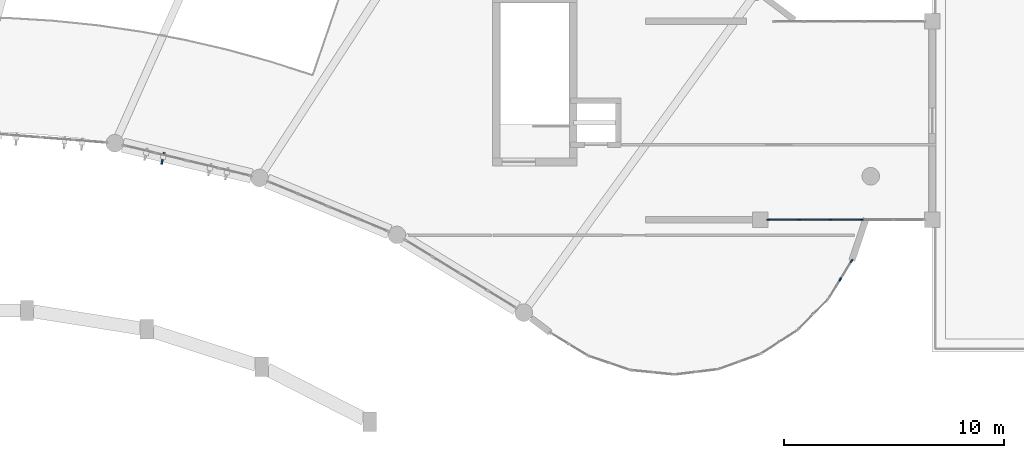
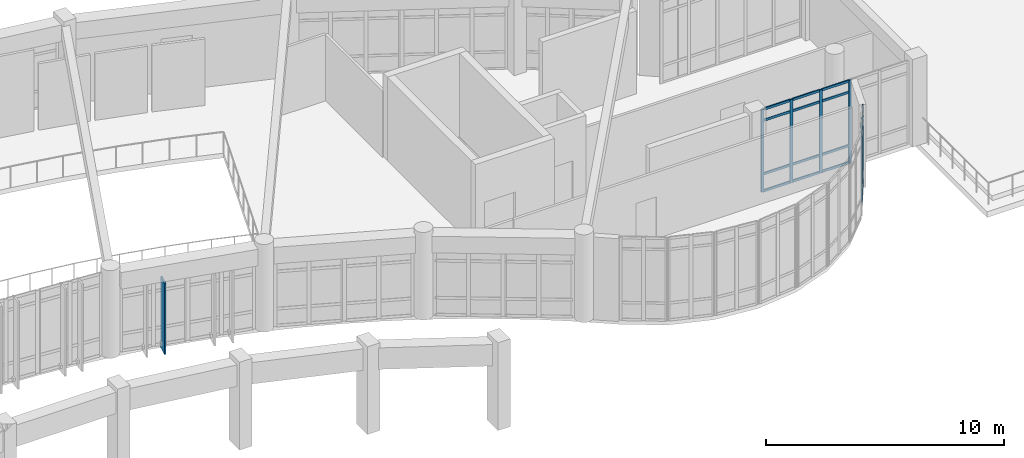
# One storey, part 17 of 54: 19 members, 2 elements without a shape of their own.
"""IFC4 building model written with IfcOpenShell, lengths in metres."""

from ifc_helpers import new_model, si_unit, direction, frame, origin, origin_2d, place, context, subcontext, project, spatial, rectangle, extrude, material, layer, layer_set, material_profile, profile_set, type_object, element, aggregate, save


model = new_model("IFC4")

# Units and contexts
model_context = context("Model", 3, precision=1e-05, world=origin(), true_north=direction((0.0, 1.0)))
body_context = subcontext(model_context, "Body", "Model", "MODEL_VIEW")
ifc_project = project(units=[si_unit("LENGTHUNIT", "METRE"), si_unit("AREAUNIT", "SQUARE_METRE"), si_unit("VOLUMEUNIT", "CUBIC_METRE"), si_unit("PLANEANGLEUNIT", "RADIAN"), si_unit("MASSUNIT", "GRAM", prefix="KILO")], contexts=[model_context])

# Site, building, storey
site_placement = place(None, origin())
site = spatial("IfcSite", under=ifc_project, at=site_placement, CompositionType="ELEMENT")
building_placement = place(site_placement, origin())
building = spatial("IfcBuilding", under=site, at=building_placement, Name="Miralva Faculty of Natural Sciences", CompositionType="ELEMENT")
storey_placement = place(building_placement, frame((0.0, 0.0, 19.5)))
storey = spatial("IfcBuildingStorey", under=building, at=storey_placement, Name="L04", CompositionType="ELEMENT", Elevation=19.5)

# Curtain wall, members
ifc_material_1 = material(Name="Laminated solar-control glass", Category="glass")
ifc_layer_1 = layer(ifc_material_1, 0.179931640625, Name="CW-RND-L03")
ifc_layer_set_1 = layer_set([ifc_layer_1], Name="Laminated solar-control glass")
curtain_wall_type_1 = type_object("IfcCurtainWallType", Name="CW-RND-L03", PredefinedType="USERDEFINED", material=ifc_layer_set_1)
curtain_wall_1_placement = place(storey_placement, origin())
curtain_wall_1 = element("IfcCurtainWall", 1, at=curtain_wall_1_placement, inside=storey, type_object=curtain_wall_type_1, Name="Curtain wall CW-06 L04-197", ObjectType="UNITISED CURTAIN WALL", PredefinedType="USERDEFINED")
ifc_material_2 = material(Name="Anodised aluminium", Category="aluminium")
ifc_material_profile_1 = material_profile(ifc_material_2, rectangle(XDim=0.06494140625, YDim=0.159912109375, at=origin_2d()), Name="MULLION 65x160")
ifc_profile_set_1 = profile_set([ifc_material_profile_1], Name="Anodised aluminium")
member_type_1 = type_object("IfcMemberType", Name="CW-M02", PredefinedType="MULLION", material=ifc_profile_set_1)
member_1_placement = place(storey_placement, frame((129.635498046875, 15.29638671875, 0.0), z_axis=(0.0, 0.0, 1.0), x_axis=(-0.851994617353, 0.523550543884, 0.0)))
member_1 = element("IfcMember", 2, at=member_1_placement, type_object=member_type_1, Name="CW-06 mullion 2", PredefinedType="MULLION", context=body_context, shape_type="SweptSolid", body=[
    extrude(rectangle(XDim=0.06494140625, YDim=0.159912109375, at=origin_2d()), origin(), (0.0, 0.0, 1.0), 4.25),
])
member_2_placement = place(storey_placement, frame((130.147216796875, 16.12939453125, 0.0), z_axis=(0.0, 0.0, 1.0), x_axis=(-0.851994617353, 0.523550543884, 0.0)))
member_2 = element("IfcMember", 3, at=member_2_placement, type_object=member_type_1, Name="CW-06 mullion 3", PredefinedType="MULLION", context=body_context, shape_type="SweptSolid", body=[
    extrude(rectangle(XDim=0.06494140625, YDim=0.159912109375, at=origin_2d()), origin(), (0.0, 0.0, 1.0), 4.25),
])
aggregate(curtain_wall_1, [member_1, member_2])

ifc_layer_2 = layer(ifc_material_1, 0.179931640625, Name="CW-COM-L01")
ifc_layer_set_2 = layer_set([ifc_layer_2], Name="Laminated solar-control glass")
curtain_wall_type_2 = type_object("IfcCurtainWallType", Name="CW-COM-L01", PredefinedType="USERDEFINED", material=ifc_layer_set_2)
curtain_wall_2_placement = place(storey_placement, origin())
curtain_wall_2 = element("IfcCurtainWall", 4, at=curtain_wall_2_placement, inside=storey, type_object=curtain_wall_type_2, Name="Curtain wall CW-10 L04-308", ObjectType="UNITISED CURTAIN WALL", PredefinedType="USERDEFINED")
ifc_material_profile_2 = material_profile(ifc_material_2, rectangle(XDim=0.06005859375, YDim=0.139892578125, at=origin_2d()), Name="MULLION 60x140")
ifc_profile_set_2 = profile_set([ifc_material_profile_2], Name="Anodised aluminium")
member_type_2 = type_object("IfcMemberType", Name="CW-M03", PredefinedType="MULLION", material=ifc_profile_set_2)
member_3_placement = place(storey_placement, frame((126.364990234375, 18.0, 0.0), z_axis=(0.0, 0.0, 1.0), x_axis=(0.0, 1.0, 0.0)))
member_3 = element("IfcMember", 5, at=member_3_placement, type_object=member_type_2, Name="CW-10 mullion 1", PredefinedType="MULLION", context=body_context, shape_type="SweptSolid", body=[
    extrude(rectangle(XDim=0.06005859375, YDim=0.139892578125, at=origin_2d()), origin(), (0.0, 0.0, 1.0), 4.25),
])
member_4_placement = place(storey_placement, frame((127.760986328125, 18.0, 0.0), z_axis=(0.0, 0.0, 1.0), x_axis=(0.0, 1.0, 0.0)))
member_4 = element("IfcMember", 6, at=member_4_placement, type_object=member_type_2, Name="CW-10 mullion 2", PredefinedType="MULLION", context=body_context, shape_type="SweptSolid", body=[
    extrude(rectangle(XDim=0.06005859375, YDim=0.139892578125, at=origin_2d()), origin(), (0.0, 0.0, 1.0), 4.25),
])
member_5_placement = place(storey_placement, frame((129.18701171875, 18.0, 0.0), z_axis=(0.0, 0.0, 1.0), x_axis=(0.0, 1.0, 0.0)))
member_5 = element("IfcMember", 7, at=member_5_placement, type_object=member_type_2, Name="CW-10 mullion 3", PredefinedType="MULLION", context=body_context, shape_type="SweptSolid", body=[
    extrude(rectangle(XDim=0.06005859375, YDim=0.139892578125, at=origin_2d()), origin(), (0.0, 0.0, 1.0), 4.25),
])
member_6_placement = place(storey_placement, frame((130.613037109375, 18.0, 0.0), z_axis=(0.0, 0.0, 1.0), x_axis=(0.0, 1.0, 0.0)))
member_6 = element("IfcMember", 8, at=member_6_placement, type_object=member_type_2, Name="CW-10 mullion 4", PredefinedType="MULLION", context=body_context, shape_type="SweptSolid", body=[
    extrude(rectangle(XDim=0.06005859375, YDim=0.139892578125, at=origin_2d()), origin(), (0.0, 0.0, 1.0), 4.25),
])
ifc_material_profile_3 = material_profile(ifc_material_2, rectangle(XDim=0.06005859375, YDim=0.1201171875, at=origin_2d()), Name="TRANSOM 60x120")
ifc_profile_set_3 = profile_set([ifc_material_profile_3], Name="Anodised aluminium")
member_type_3 = type_object("IfcMemberType", Name="CW-T02", PredefinedType="USERDEFINED", material=ifc_profile_set_3)
member_7_placement = place(storey_placement, frame((126.39501953125, 18.0, 0.030029296875), z_axis=(1.0, 0.0, 0.0), x_axis=(0.0, 1.0, 0.0)))
member_7 = element("IfcMember", 9, at=member_7_placement, type_object=member_type_3, Name="CW-10 transom 1.1", ObjectType="TRANSOM", PredefinedType="USERDEFINED", context=body_context, shape_type="SweptSolid", body=[
    extrude(rectangle(XDim=0.06005859375, YDim=0.1201171875, at=origin_2d()), origin(), (0.0, 0.0, 1.0), 1.3359375),
])
member_8_placement = place(storey_placement, frame((126.39501953125, 18.0, 0.89990234375), z_axis=(1.0, 0.0, 0.0), x_axis=(0.0, 1.0, 0.0)))
member_8 = element("IfcMember", 10, at=member_8_placement, type_object=member_type_3, Name="CW-10 transom 1.2", ObjectType="TRANSOM", PredefinedType="USERDEFINED", context=body_context, shape_type="SweptSolid", body=[
    extrude(rectangle(XDim=0.06005859375, YDim=0.1201171875, at=origin_2d()), origin(), (0.0, 0.0, 1.0), 1.3359375),
])
member_9_placement = place(storey_placement, frame((126.39501953125, 18.0, 3.64990234375), z_axis=(1.0, 0.0, 0.0), x_axis=(0.0, 1.0, 0.0)))
member_9 = element("IfcMember", 11, at=member_9_placement, type_object=member_type_3, Name="CW-10 transom 1.3", ObjectType="TRANSOM", PredefinedType="USERDEFINED", context=body_context, shape_type="SweptSolid", body=[
    extrude(rectangle(XDim=0.06005859375, YDim=0.1201171875, at=origin_2d()), origin(), (0.0, 0.0, 1.0), 1.3359375),
])
member_10_placement = place(storey_placement, frame((126.39501953125, 18.0, 4.219970703125), z_axis=(1.0, 0.0, 0.0), x_axis=(0.0, 1.0, 0.0)))
member_10 = element("IfcMember", 12, at=member_10_placement, type_object=member_type_3, Name="CW-10 transom 1.4", ObjectType="TRANSOM", PredefinedType="USERDEFINED", context=body_context, shape_type="SweptSolid", body=[
    extrude(rectangle(XDim=0.06005859375, YDim=0.1201171875, at=origin_2d()), origin(), (0.0, 0.0, 1.0), 1.3359375),
])
member_11_placement = place(storey_placement, frame((127.791015625, 18.0, 0.030029296875), z_axis=(1.0, 0.0, 0.0), x_axis=(0.0, 1.0, 0.0)))
member_11 = element("IfcMember", 13, at=member_11_placement, type_object=member_type_3, Name="CW-10 transom 2.1", ObjectType="TRANSOM", PredefinedType="USERDEFINED", context=body_context, shape_type="SweptSolid", body=[
    extrude(rectangle(XDim=0.06005859375, YDim=0.1201171875, at=origin_2d()), origin(), (0.0, 0.0, 1.0), 1.365966796875),
])
member_12_placement = place(storey_placement, frame((127.791015625, 18.0, 0.89990234375), z_axis=(1.0, 0.0, 0.0), x_axis=(0.0, 1.0, 0.0)))
member_12 = element("IfcMember", 14, at=member_12_placement, type_object=member_type_3, Name="CW-10 transom 2.2", ObjectType="TRANSOM", PredefinedType="USERDEFINED", context=body_context, shape_type="SweptSolid", body=[
    extrude(rectangle(XDim=0.06005859375, YDim=0.1201171875, at=origin_2d()), origin(), (0.0, 0.0, 1.0), 1.365966796875),
])
member_13_placement = place(storey_placement, frame((127.791015625, 18.0, 3.64990234375), z_axis=(1.0, 0.0, 0.0), x_axis=(0.0, 1.0, 0.0)))
member_13 = element("IfcMember", 15, at=member_13_placement, type_object=member_type_3, Name="CW-10 transom 2.3", ObjectType="TRANSOM", PredefinedType="USERDEFINED", context=body_context, shape_type="SweptSolid", body=[
    extrude(rectangle(XDim=0.06005859375, YDim=0.1201171875, at=origin_2d()), origin(), (0.0, 0.0, 1.0), 1.365966796875),
])
member_14_placement = place(storey_placement, frame((127.791015625, 18.0, 4.219970703125), z_axis=(1.0, 0.0, 0.0), x_axis=(0.0, 1.0, 0.0)))
member_14 = element("IfcMember", 16, at=member_14_placement, type_object=member_type_3, Name="CW-10 transom 2.4", ObjectType="TRANSOM", PredefinedType="USERDEFINED", context=body_context, shape_type="SweptSolid", body=[
    extrude(rectangle(XDim=0.06005859375, YDim=0.1201171875, at=origin_2d()), origin(), (0.0, 0.0, 1.0), 1.365966796875),
])
member_15_placement = place(storey_placement, frame((129.217041015625, 18.0, 0.030029296875), z_axis=(1.0, 0.0, 0.0), x_axis=(0.0, 1.0, 0.0)))
member_15 = element("IfcMember", 17, at=member_15_placement, type_object=member_type_3, Name="CW-10 transom 3.1", ObjectType="TRANSOM", PredefinedType="USERDEFINED", context=body_context, shape_type="SweptSolid", body=[
    extrude(rectangle(XDim=0.06005859375, YDim=0.1201171875, at=origin_2d()), origin(), (0.0, 0.0, 1.0), 1.365966796875),
])
member_16_placement = place(storey_placement, frame((129.217041015625, 18.0, 0.89990234375), z_axis=(1.0, 0.0, 0.0), x_axis=(0.0, 1.0, 0.0)))
member_16 = element("IfcMember", 18, at=member_16_placement, type_object=member_type_3, Name="CW-10 transom 3.2", ObjectType="TRANSOM", PredefinedType="USERDEFINED", context=body_context, shape_type="SweptSolid", body=[
    extrude(rectangle(XDim=0.06005859375, YDim=0.1201171875, at=origin_2d()), origin(), (0.0, 0.0, 1.0), 1.365966796875),
])
member_17_placement = place(storey_placement, frame((129.217041015625, 18.0, 3.64990234375), z_axis=(1.0, 0.0, 0.0), x_axis=(0.0, 1.0, 0.0)))
member_17 = element("IfcMember", 19, at=member_17_placement, type_object=member_type_3, Name="CW-10 transom 3.3", ObjectType="TRANSOM", PredefinedType="USERDEFINED", context=body_context, shape_type="SweptSolid", body=[
    extrude(rectangle(XDim=0.06005859375, YDim=0.1201171875, at=origin_2d()), origin(), (0.0, 0.0, 1.0), 1.365966796875),
])
member_18_placement = place(storey_placement, frame((129.217041015625, 18.0, 4.219970703125), z_axis=(1.0, 0.0, 0.0), x_axis=(0.0, 1.0, 0.0)))
member_18 = element("IfcMember", 20, at=member_18_placement, type_object=member_type_3, Name="CW-10 transom 3.4", ObjectType="TRANSOM", PredefinedType="USERDEFINED", context=body_context, shape_type="SweptSolid", body=[
    extrude(rectangle(XDim=0.06005859375, YDim=0.1201171875, at=origin_2d()), origin(), (0.0, 0.0, 1.0), 1.365966796875),
])
aggregate(curtain_wall_2, [member_3, member_4, member_5, member_6, member_7, member_8, member_9, member_10, member_11, member_12, member_13, member_14, member_15, member_16, member_17, member_18])

# Member
ifc_material_profile_4 = material_profile(ifc_material_2, rectangle(XDim=0.080078125, YDim=0.550048828125, at=origin_2d()), Name="FIN 550x80")
ifc_profile_set_4 = profile_set([ifc_material_profile_4], Name="Anodised aluminium")
member_type_4 = type_object("IfcMemberType", Name="MEM-SF01", PredefinedType="USERDEFINED", material=ifc_profile_set_4)
member_19_placement = place(storey_placement, frame((98.905517578125, 20.782958984375, -0.239990234375), z_axis=(0.0, 0.0, 1.0), x_axis=(0.972369920398, -0.233445363856, 0.0)))
element("IfcMember", 21, at=member_19_placement, inside=storey, type_object=member_type_4, Name="Solar shading fin SF-01 L04-130", ObjectType="SUNSHADE", PredefinedType="USERDEFINED", context=body_context, shape_type="SweptSolid", body=[
    extrude(rectangle(XDim=0.080078125, YDim=0.550048828125, at=origin_2d()), origin(), (0.0, 0.0, 1.0), 3.64501953125),
])

save(model, "model.ifc")
